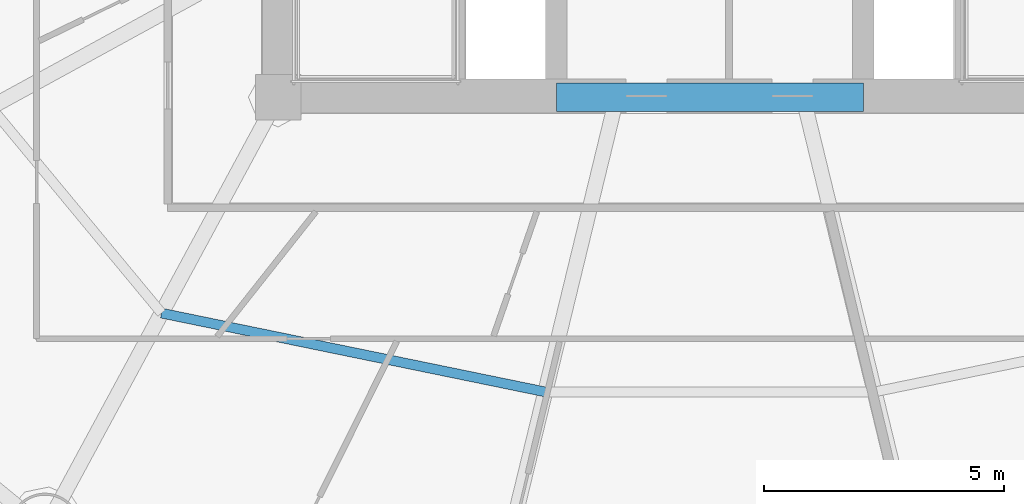
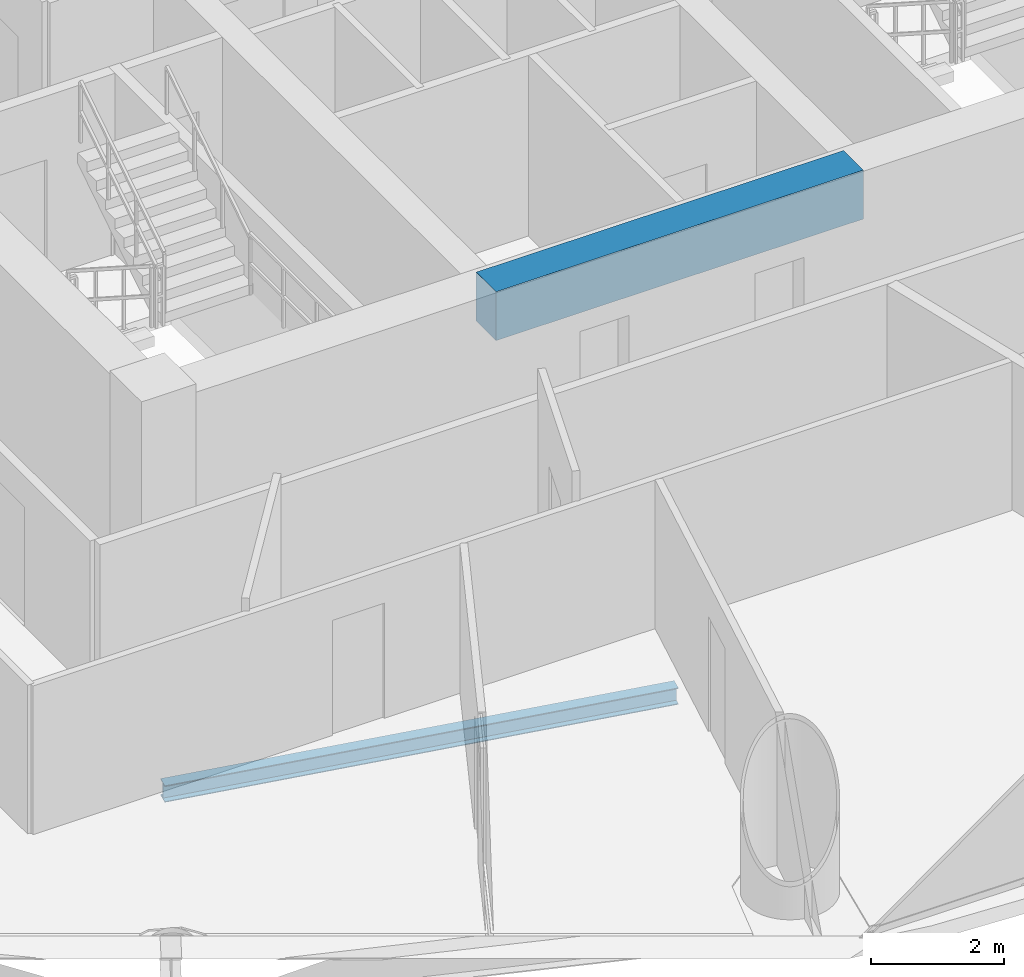
# One storey, part 6 of 29: 2 beams.
"""IFC4 building model written with IfcOpenShell, lengths in metres."""

from ifc_helpers import new_model, si_unit, direction, frame, origin, origin_2d, place, context, subcontext, project, spatial, rectangle, i_section, extrude, material, material_profile, profile_set, type_object, element, save


model = new_model("IFC4")

# Units and contexts
model_context = context("Model", 3, precision=1e-05, world=origin(), true_north=direction((-0.2419218956, 0.970295726276)))
body_context = subcontext(model_context, "Body", "Model", "MODEL_VIEW")
ifc_project = project(units=[si_unit("LENGTHUNIT", "METRE"), si_unit("AREAUNIT", "SQUARE_METRE"), si_unit("VOLUMEUNIT", "CUBIC_METRE"), si_unit("PLANEANGLEUNIT", "RADIAN"), si_unit("MASSUNIT", "GRAM", prefix="KILO")], contexts=[model_context])

# Site, building, storey
site_placement = place(None, origin())
site = spatial("IfcSite", under=ifc_project, at=site_placement, CompositionType="ELEMENT")
building_placement = place(site_placement, origin())
building = spatial("IfcBuilding", under=site, at=building_placement, Name="Cobrevalo Terracotta Tower", CompositionType="ELEMENT")
storey_placement = place(building_placement, frame((0.0, 0.0, 83.39990234375)))
storey = spatial("IfcBuildingStorey", under=building, at=storey_placement, Name="L21", CompositionType="ELEMENT", Elevation=83.39990234375)

# Beams
ifc_material_1 = material(Name="Concrete C60", Category="concrete")
ifc_material_profile_1 = material_profile(ifc_material_1, rectangle(XDim=0.60009765625, YDim=0.89990234375, at=origin_2d()), Name="RC CB 600x900")
ifc_profile_set_1 = profile_set([ifc_material_profile_1], Name="Concrete C60")
beam_type_1 = type_object("IfcBeamType", Name="Structural Beam RC CB 600x900 (Concrete C60)", PredefinedType="BEAM", material=ifc_profile_set_1)
beam_1_placement = place(storey_placement, frame((34.800048828125, 18.800048828125, 2.875), z_axis=(1.0, 0.0, 0.0), x_axis=(0.0, 1.0, 0.0)))
element("IfcBeam", 1, at=beam_1_placement, inside=storey, type_object=beam_type_1, Name="L21 core coupling beam 1", PredefinedType="BEAM", context=body_context, shape_type="SweptSolid", body=[
    extrude(rectangle(XDim=0.60009765625, YDim=0.89990234375, at=origin_2d()), origin(), (0.0, 0.0, 1.0), 6.39990234375),
])
ifc_material_2 = material(Name="Steel S355", Category="steel")
ifc_material_profile_2 = material_profile(ifc_material_2, i_section(OverallWidth=0.2041015625, OverallDepth=0.305908203125, WebThickness=0.008544921875, FlangeThickness=0.0146484375, at=origin_2d()), Name="W 310x67")
ifc_profile_set_2 = profile_set([ifc_material_profile_2], Name="Steel S355")
beam_type_2 = type_object("IfcBeamType", Name="Structural Joist W 310x67 (Steel S355)", PredefinedType="JOIST", material=ifc_profile_set_2)
beam_2_placement = place(storey_placement, frame((26.5693359375, 14.29833984375, -0.427978515625), z_axis=(0.979574469315, -0.201081722357, 0.0), x_axis=(0.201081722357, 0.979574469315, 0.0)))
element("IfcBeam", 2, at=beam_2_placement, inside=storey, type_object=beam_type_2, Name="L21 circumferential secondary floor joist 11", PredefinedType="JOIST", context=body_context, shape_type="SweptSolid", body=[
    extrude(i_section(OverallWidth=0.2041015625, OverallDepth=0.305908203125, WebThickness=0.008544921875, FlangeThickness=0.0146484375, at=origin_2d()), origin(), (0.0, 0.0, 1.0), 8.1650390625),
])

save(model, "model.ifc")
